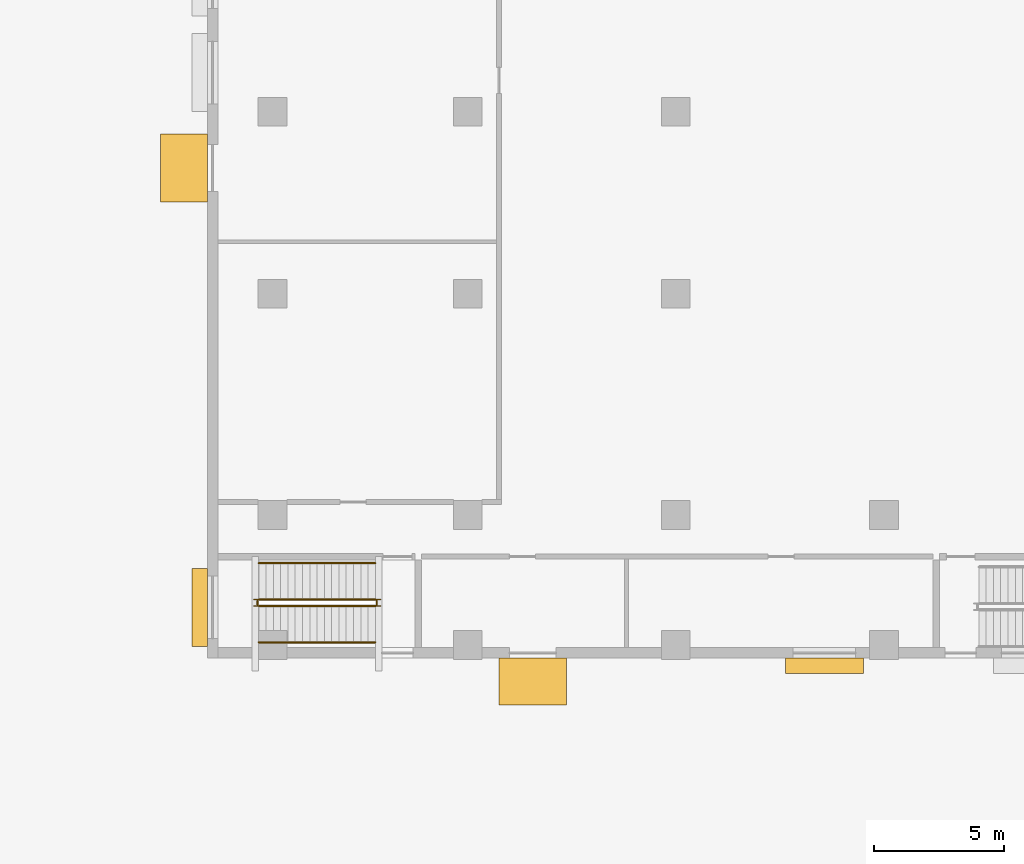
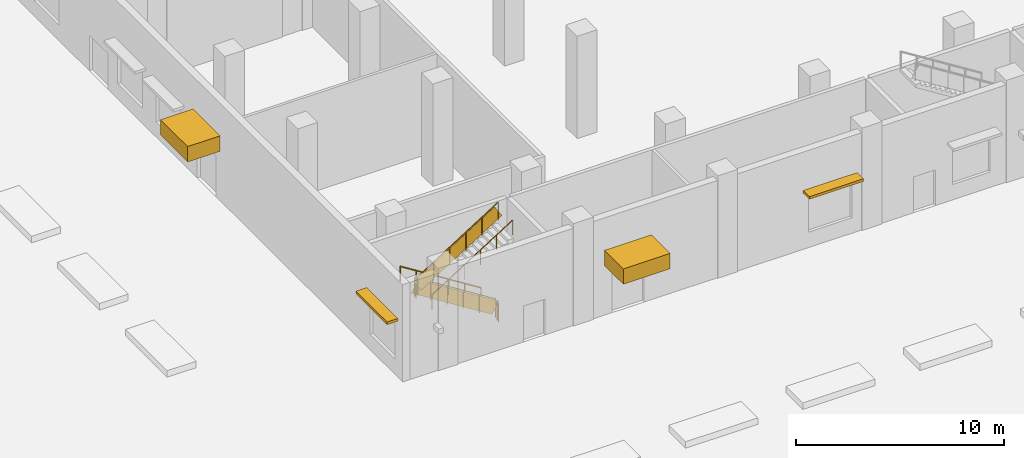
# One storey, part 11 of 18: 6 railings, 4 shading devices.
"""IFC4 building model written with IfcOpenShell, lengths in metres."""

from ifc_helpers import new_model, si_unit, direction, frame, frame_2d, origin, origin_2d, place, context, subcontext, project, spatial, rectangle, circle, extrude, material, layer, layer_set, type_object, element, save


model = new_model("IFC4")

# Units and contexts
model_context = context("Model", 3, precision=1e-05, world=origin(), true_north=direction((0.0, 1.0)))
body_context = subcontext(model_context, "Body", "Model", "MODEL_VIEW")
ifc_project = project(units=[si_unit("LENGTHUNIT", "METRE"), si_unit("AREAUNIT", "SQUARE_METRE"), si_unit("VOLUMEUNIT", "CUBIC_METRE"), si_unit("PLANEANGLEUNIT", "RADIAN"), si_unit("MASSUNIT", "GRAM", prefix="KILO")], contexts=[model_context])

# Site, building, storey
site_placement = place(None, origin())
site = spatial("IfcSite", under=ifc_project, at=site_placement, CompositionType="ELEMENT")
building_placement = place(site_placement, origin())
building = spatial("IfcBuilding", under=site, at=building_placement, Name="Vidyagriha Tower", CompositionType="ELEMENT")
storey_placement = place(building_placement, origin())
storey = spatial("IfcBuildingStorey", under=building, at=storey_placement, Name="L00", CompositionType="ELEMENT", Elevation=0.0)

# Shading devices
ifc_material_1 = material(Name="Precast concrete C40/50 with brick facing", Category="concrete")
ifc_layer_1 = layer(ifc_material_1, 0.14990234375)
ifc_layer_set_1 = layer_set([ifc_layer_1], Name="Precast concrete C40/50 with brick facing")
shading_device_type_1 = type_object("IfcShadingDeviceType", Name="Brick chhajja window hood", PredefinedType="AWNING", material=ifc_layer_set_1)
shading_device_1_placement = place(storey_placement, frame((-40.300048828125, -48.050048828125, 3.300048828125), z_axis=(0.0, 0.0, 1.0), x_axis=(0.0, -1.0, 0.0)))
element("IfcShadingDevice", 1, at=shading_device_1_placement, inside=storey, type_object=shading_device_type_1, Name="Window hood L00 R05.19", PredefinedType="AWNING", context=body_context, shape_type="SweptSolid", body=[
    extrude(rectangle(XDim=3.0, YDim=0.60009765625, at=origin_2d()), origin(), (0.0, 0.0, 1.0), 0.14990234375),
])
shading_device_2_placement = place(storey_placement, frame((-16.2900390625, -50.300048828125, 3.300048828125)))
element("IfcShadingDevice", 2, at=shading_device_2_placement, inside=storey, type_object=shading_device_type_1, Name="Window hood L00 R06.14", PredefinedType="AWNING", context=body_context, shape_type="SweptSolid", body=[
    extrude(rectangle(XDim=3.0, YDim=0.60009765625, at=origin_2d()), origin(), (0.0, 0.0, 1.0), 0.14990234375),
])
ifc_material_2 = material(Name="Precast concrete C40/50 with brick facing", Category="concrete")
ifc_layer_2 = layer(ifc_material_2, 0.89990234375)
ifc_layer_set_2 = layer_set([ifc_layer_2], Name="Precast concrete C40/50 with brick facing")
shading_device_type_2 = type_object("IfcShadingDeviceType", Name="Brick-faced entrance portal hood", PredefinedType="USERDEFINED", material=ifc_layer_set_2)
shading_device_3_placement = place(storey_placement, frame((-28.800048828125, -50.89990234375, 2.89990234375)))
element("IfcShadingDevice", 3, at=shading_device_3_placement, inside=storey, type_object=shading_device_type_2, Name="School entrance portal hood E1", ObjectType="PORTAL", PredefinedType="USERDEFINED", context=body_context, shape_type="SweptSolid", body=[
    extrude(rectangle(XDim=2.60009765625, YDim=1.800048828125, at=frame_2d((1.300048828125, 0.0))), origin(), (0.0, 0.0, 1.0), 0.900146484375),
])
shading_device_4_placement = place(storey_placement, frame((-40.89990234375, -29.86669921875, 2.89990234375), z_axis=(0.0, 0.0, 1.0), x_axis=(0.0, -1.0, 0.0)))
element("IfcShadingDevice", 4, at=shading_device_4_placement, inside=storey, type_object=shading_device_type_2, Name="Stair exit portal hood E7", ObjectType="PORTAL", PredefinedType="USERDEFINED", context=body_context, shape_type="SweptSolid", body=[
    extrude(rectangle(XDim=2.60009765625, YDim=1.800048828125, at=frame_2d((1.300048828125, 0.0))), origin(), (0.0, 0.0, 1.0), 0.900146484375),
])

# Railings
ifc_material_3 = material(Name="Powder coated ASTM A500 Grade C steel balustrade", Category="steel")
railing_type_1 = type_object("IfcRailingType", Name="Podium Stair Guard 1100", PredefinedType="GUARDRAIL", material=ifc_material_3)
railing_1_placement = place(storey_placement, frame((-33.544921875, -47.75, 0.176513671875)))
element("IfcRailing", 5, at=railing_1_placement, inside=storey, type_object=railing_type_1, Name="L00 PS1 stair guard 1", PredefinedType="GUARDRAIL", context=body_context, shape_type="SweptSolid", body=[
    extrude(circle(Radius=0.02392578125, at=origin_2d()), frame((0.0, 0.0, 1.076171875), z_axis=(-0.845997938375, 0.0, 0.533186166611), x_axis=(0.0, -1.0, 0.0)), (0.0, 0.0, 1.0), 5.29541015625),
    extrude(circle(Radius=0.02099609375, at=origin_2d()), origin(), (0.0, 0.0, 1.0), 1.052001953125),
    extrude(circle(Radius=0.02099609375, at=origin_2d()), frame((-0.89599609375, 0.0, 0.564697265625)), (0.0, 0.0, 1.0), 1.052001953125),
    extrude(circle(Radius=0.02099609375, at=origin_2d()), frame((-1.7919921875, 0.0, 1.12939453125)), (0.0, 0.0, 1.0), 1.052001953125),
    extrude(circle(Radius=0.02099609375, at=origin_2d()), frame((-2.68798828125, 0.0, 1.694091796875)), (0.0, 0.0, 1.0), 1.052001953125),
    extrude(circle(Radius=0.02099609375, at=origin_2d()), frame((-3.583984375, 0.0, 2.2587890625)), (0.0, 0.0, 1.0), 1.052001953125),
    extrude(circle(Radius=0.02099609375, at=origin_2d()), frame((-4.47998046875, 0.0, 2.823486328125)), (0.0, 0.0, 1.0), 1.052001953125),
    extrude(rectangle(XDim=0.010009765625, YDim=0.76318359375, at=origin_2d()), frame((0.0, 0.0, 0.551025390625), z_axis=(-0.845997938375, 0.0, 0.533186166611), x_axis=(0.0, -1.0, 0.0)), (0.0, 0.0, 1.0), 5.29541015625),
])
railing_2_placement = place(storey_placement, frame((-38.074951171875, -47.800048828125, 3.0)))
element("IfcRailing", 6, at=railing_2_placement, inside=storey, type_object=railing_type_1, Name="L00 PS1 stair guard 2", PredefinedType="GUARDRAIL", context=body_context, shape_type="SweptSolid", body=[
    extrude(circle(Radius=0.02392578125, at=origin_2d()), frame((0.0, 0.0, 1.076171875), z_axis=(0.0, -1.0, 0.0), x_axis=(1.0, 0.0, 0.0)), (0.0, 0.0, 1.0), 0.14990234375),
    extrude(circle(Radius=0.02099609375, at=origin_2d()), origin(), (0.0, 0.0, 1.0), 1.052001953125),
    extrude(circle(Radius=0.02099609375, at=origin_2d()), frame((0.0, -0.14990234375, 0.0)), (0.0, 0.0, 1.0), 1.052001953125),
    extrude(rectangle(XDim=0.010009765625, YDim=0.902099609375, at=origin_2d()), frame((0.0, 0.0, 0.551025390625), z_axis=(0.0, -1.0, 0.0), x_axis=(1.0, 0.0, 0.0)), (0.0, 0.0, 1.0), 0.14990234375),
])
railing_3_placement = place(storey_placement, frame((-38.02490234375, -48.0, 3.176513671875)))
element("IfcRailing", 7, at=railing_3_placement, inside=storey, type_object=railing_type_1, Name="L00 PS1 stair guard 3", PredefinedType="GUARDRAIL", context=body_context, shape_type="SweptSolid", body=[
    extrude(circle(Radius=0.02392578125, at=origin_2d()), frame((0.0, 0.0, 1.076171875), z_axis=(0.845997938375, 0.0, 0.533186166611), x_axis=(0.0, 1.0, 0.0)), (0.0, 0.0, 1.0), 5.29541015625),
    extrude(circle(Radius=0.02099609375, at=origin_2d()), origin(), (0.0, 0.0, 1.0), 1.052001953125),
    extrude(circle(Radius=0.02099609375, at=origin_2d()), frame((0.89599609375, 0.0, 0.564697265625)), (0.0, 0.0, 1.0), 1.052001953125),
    extrude(circle(Radius=0.02099609375, at=origin_2d()), frame((1.7919921875, 0.0, 1.12939453125)), (0.0, 0.0, 1.0), 1.052001953125),
    extrude(circle(Radius=0.02099609375, at=origin_2d()), frame((2.68798828125, 0.0, 1.694091796875)), (0.0, 0.0, 1.0), 1.052001953125),
    extrude(circle(Radius=0.02099609375, at=origin_2d()), frame((3.583984375, 0.0, 2.2587890625)), (0.0, 0.0, 1.0), 1.052001953125),
    extrude(circle(Radius=0.02099609375, at=origin_2d()), frame((4.47998046875, 0.0, 2.823486328125)), (0.0, 0.0, 1.0), 1.052001953125),
    extrude(rectangle(XDim=0.010009765625, YDim=0.76318359375, at=origin_2d()), frame((0.0, 0.0, 0.551025390625), z_axis=(0.845997938375, 0.0, 0.533186166611), x_axis=(0.0, 1.0, 0.0)), (0.0, 0.0, 1.0), 5.29541015625),
])
railing_4_placement = place(storey_placement, frame((-33.4951171875, -47.800048828125, 0.0)))
element("IfcRailing", 8, at=railing_4_placement, inside=storey, type_object=railing_type_1, Name="L00 PS1 stair guard 4", PredefinedType="GUARDRAIL", context=body_context, shape_type="SweptSolid", body=[
    extrude(circle(Radius=0.02392578125, at=origin_2d()), frame((0.0, 0.0, 1.076171875), z_axis=(0.0, -1.0, 0.0), x_axis=(1.0, 0.0, 0.0)), (0.0, 0.0, 1.0), 0.14990234375),
    extrude(circle(Radius=0.02099609375, at=origin_2d()), origin(), (0.0, 0.0, 1.0), 1.052001953125),
    extrude(circle(Radius=0.02099609375, at=origin_2d()), frame((0.0, -0.14990234375, 0.0)), (0.0, 0.0, 1.0), 1.052001953125),
    extrude(rectangle(XDim=0.010009765625, YDim=0.902099609375, at=origin_2d()), frame((0.0, 0.0, 0.551025390625), z_axis=(0.0, -1.0, 0.0), x_axis=(1.0, 0.0, 0.0)), (0.0, 0.0, 1.0), 0.14990234375),
])
ifc_material_4 = material(Name="Powder coated ASTM A500 Grade C steel handrail", Category="steel")
railing_type_2 = type_object("IfcRailingType", Name="Podium Stair Handrail 900", PredefinedType="HANDRAIL", material=ifc_material_4)
railing_5_placement = place(storey_placement, frame((-33.544921875, -46.35009765625, 0.176513671875)))
element("IfcRailing", 9, at=railing_5_placement, inside=storey, type_object=railing_type_2, Name="L00 PS1 stair handrail 1", PredefinedType="HANDRAIL", context=body_context, shape_type="SweptSolid", body=[
    extrude(circle(Radius=0.02392578125, at=origin_2d()), frame((0.0, 0.0, 0.8759765625), z_axis=(-0.845997938375, 0.0, 0.533186166611), x_axis=(0.0, -1.0, 0.0)), (0.0, 0.0, 1.0), 5.29541015625),
    extrude(circle(Radius=0.02099609375, at=origin_2d()), origin(), (0.0, 0.0, 1.0), 0.851806640625),
    extrude(circle(Radius=0.02099609375, at=origin_2d()), frame((-0.89599609375, 0.0, 0.564697265625)), (0.0, 0.0, 1.0), 0.851806640625),
    extrude(circle(Radius=0.02099609375, at=origin_2d()), frame((-1.7919921875, 0.0, 1.12939453125)), (0.0, 0.0, 1.0), 0.851806640625),
    extrude(circle(Radius=0.02099609375, at=origin_2d()), frame((-2.68798828125, 0.0, 1.694091796875)), (0.0, 0.0, 1.0), 0.851806640625),
    extrude(circle(Radius=0.02099609375, at=origin_2d()), frame((-3.583984375, 0.0, 2.2587890625)), (0.0, 0.0, 1.0), 0.851806640625),
    extrude(circle(Radius=0.02099609375, at=origin_2d()), frame((-4.47998046875, 0.0, 2.823486328125)), (0.0, 0.0, 1.0), 0.851806640625),
])
railing_6_placement = place(storey_placement, frame((-38.02490234375, -49.39990234375, 3.176513671875)))
element("IfcRailing", 10, at=railing_6_placement, inside=storey, type_object=railing_type_2, Name="L00 PS1 stair handrail 2", PredefinedType="HANDRAIL", context=body_context, shape_type="SweptSolid", body=[
    extrude(circle(Radius=0.02392578125, at=origin_2d()), frame((0.0, 0.0, 0.8759765625), z_axis=(0.845997938375, 0.0, 0.533186166611), x_axis=(0.0, 1.0, 0.0)), (0.0, 0.0, 1.0), 5.29541015625),
    extrude(circle(Radius=0.02099609375, at=origin_2d()), origin(), (0.0, 0.0, 1.0), 0.851806640625),
    extrude(circle(Radius=0.02099609375, at=origin_2d()), frame((0.89599609375, 0.0, 0.564697265625)), (0.0, 0.0, 1.0), 0.851806640625),
    extrude(circle(Radius=0.02099609375, at=origin_2d()), frame((1.7919921875, 0.0, 1.12939453125)), (0.0, 0.0, 1.0), 0.851806640625),
    extrude(circle(Radius=0.02099609375, at=origin_2d()), frame((2.68798828125, 0.0, 1.694091796875)), (0.0, 0.0, 1.0), 0.851806640625),
    extrude(circle(Radius=0.02099609375, at=origin_2d()), frame((3.583984375, 0.0, 2.2587890625)), (0.0, 0.0, 1.0), 0.851806640625),
    extrude(circle(Radius=0.02099609375, at=origin_2d()), frame((4.47998046875, 0.0, 2.823486328125)), (0.0, 0.0, 1.0), 0.851806640625),
])

save(model, "model.ifc")
